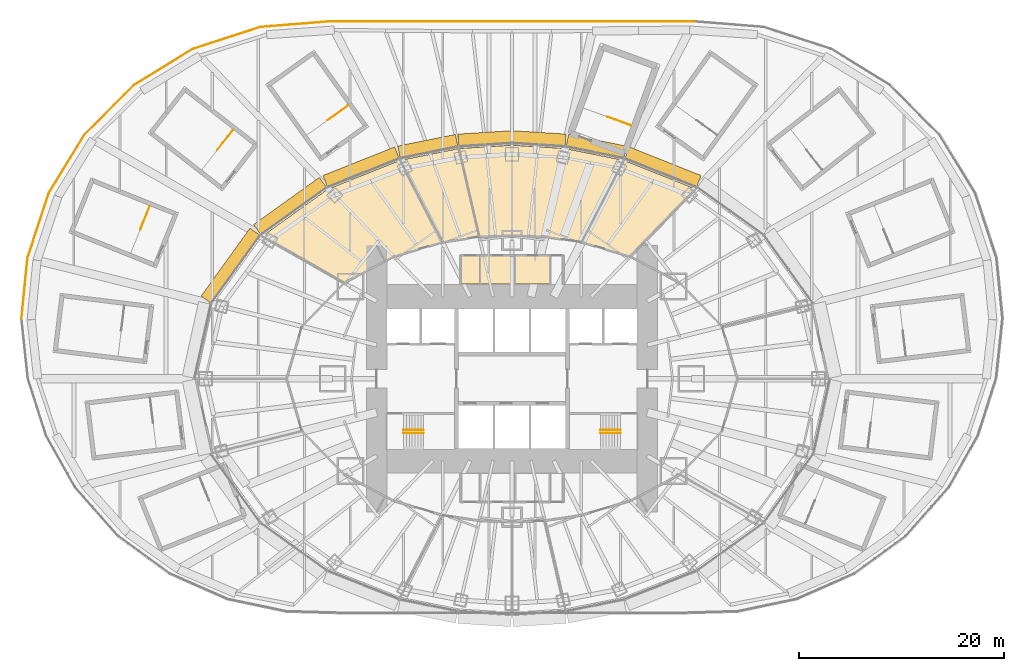
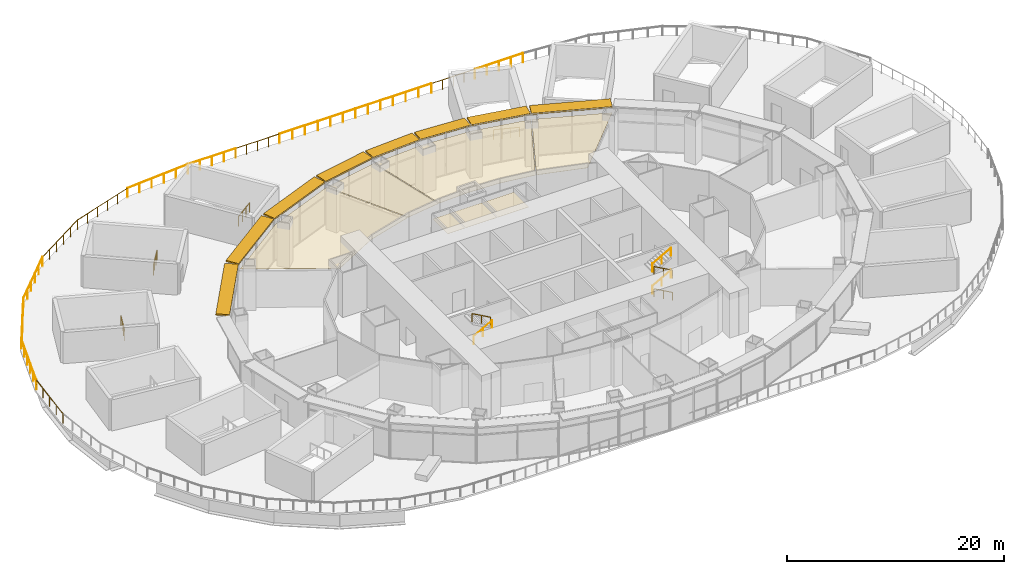
# One storey, part 24 of 25: 25 railings, 8 shading devices, 7 coverings.
"""IFC4 building model written with IfcOpenShell, lengths in metres."""

import ifcopenshell
import ifcopenshell.guid

model = None  # the IFC model being written
_history = None  # IfcOwnerHistory: only IFC2X3 demands one
_inside = {}  # id of a spatial element -> (the spatial element, [elements in it])
_under = {}  # id of a project, library or spatial element -> (it, [spatial elements below it])
_declared = {}  # id of a project -> (the project, [libraries it declares])
_typed = {}  # id of a type object -> (the type object, [elements of that type])
_made_of = {}  # id of a material, layer set ... -> (it, [elements and type objects made of it])


def new_model(schema):
    """Start an empty IFC model of exactly this schema.

    Asked for "IFC4X3", IfcOpenShell would pick the latest addendum, in which some entities
    have other attributes; the version numbers below select the first issue.
    IFC2X3 requires an IfcOwnerHistory on every rooted entity: one is made here for all.
    """
    global model, _history
    if schema == "IFC4X3":
        model = ifcopenshell.file(schema_version=(4, 3, 0, 0))
    else:
        model = ifcopenshell.file(schema=schema)
    _inside.clear()
    _under.clear()
    _declared.clear()
    _typed.clear()
    _made_of.clear()
    _history = None
    if model.schema == "IFC2X3":
        org = make("IfcOrganization", Name="unknown")
        user = make(
            "IfcPersonAndOrganization",
            ThePerson=make("IfcPerson", FamilyName="unknown"),
            TheOrganization=org,
        )
        app = make(
            "IfcApplication",
            ApplicationDeveloper=org,
            Version="unknown",
            ApplicationFullName="unknown",
            ApplicationIdentifier="unknown",
        )
        _history = make(
            "IfcOwnerHistory",
            OwningUser=user,
            OwningApplication=app,
            ChangeAction="ADDED",
            CreationDate=0,
        )
    return model


def make(cls, **values):
    """One entity of the class cls with the attributes given. An attribute that is None is left unset."""
    return model.create_entity(
        cls, **{name: value for name, value in values.items() if value is not None}
    )


def rooted(cls, **values):
    """An entity with a GlobalId (a new one), such as an element, a storey or a relation."""
    return make(cls, GlobalId=ifcopenshell.guid.new(), OwnerHistory=_history, **values)


def si_unit(unit_type, name, prefix=None):
    """IfcSIUnit, for example si_unit("LENGTHUNIT", "METRE", prefix="MILLI")."""
    return make("IfcSIUnit", UnitType=unit_type, Prefix=prefix, Name=name)


def assignment(units):
    """IfcUnitAssignment: the units of a project."""
    return None if units is None else make("IfcUnitAssignment", Units=units)


def point(xyz):
    """IfcCartesianPoint."""
    return None if xyz is None else make("IfcCartesianPoint", Coordinates=xyz)


def direction(xyz):
    """IfcDirection."""
    return None if xyz is None else make("IfcDirection", DirectionRatios=xyz)


def frame(location, z_axis=None, x_axis=None):
    """IfcAxis2Placement3D, a coordinate frame: its origin and axes. An axis left out is left unset."""
    return make(
        "IfcAxis2Placement3D",
        Location=point(location),
        Axis=direction(z_axis),
        RefDirection=direction(x_axis),
    )


def frame_2d(location, x_axis=None):
    """IfcAxis2Placement2D, a coordinate frame in the plane: its origin and x axis."""
    return make(
        "IfcAxis2Placement2D", Location=point(location), RefDirection=direction(x_axis)
    )


def origin():
    """The frame at (0, 0, 0) with its axes left unset."""
    return frame((0.0, 0.0, 0.0))


def origin_2d():
    """The frame at (0, 0) in the plane with its x axis left unset."""
    return frame_2d((0.0, 0.0))


def place(relative_to, where):
    """IfcLocalPlacement: puts the frame where relative to a parent placement (None: the world)."""
    return make(
        "IfcLocalPlacement", PlacementRelTo=relative_to, RelativePlacement=where
    )


def context(
    kind, dimensions, precision=None, world=None, true_north=None, identifier=None
):
    """IfcGeometricRepresentationContext, for example the 3D "Model" context."""
    return make(
        "IfcGeometricRepresentationContext",
        ContextIdentifier=identifier,
        ContextType=kind,
        CoordinateSpaceDimension=dimensions,
        Precision=precision,
        WorldCoordinateSystem=world,
        TrueNorth=true_north,
    )


def subcontext(parent, identifier, kind, view, scale=None):
    """IfcGeometricRepresentationSubContext, for example "Body" below "Model"."""
    return make(
        "IfcGeometricRepresentationSubContext",
        ContextIdentifier=identifier,
        ContextType=kind,
        ParentContext=parent,
        TargetScale=scale,
        TargetView=view,
    )


def project(units=None, contexts=None):
    """IfcProject with its units and contexts."""
    return rooted(
        "IfcProject",
        Name="project",
        RepresentationContexts=contexts,
        UnitsInContext=assignment(units),
    )


def spatial(cls, under=None, at=None, **own):
    """A site, building, storey or space (cls), placed at a placement, below another one or the project."""
    s = rooted(cls, ObjectPlacement=at, **own)
    if under is not None:
        _under.setdefault(under.id(), (under, []))[1].append(s)
    return s


def polyline(points):
    """IfcPolyline through the points."""
    return make("IfcPolyline", Points=[point(p) for p in points])


def profile(cls, at=None, kind="AREA", **sizes):
    """A parametric profile (cls). Its sizes go by their IFC names, for example OverallWidth=200.0."""
    return make(cls, ProfileType=kind, Position=at, **sizes)


def rectangle(**sizes):
    """IfcRectangleProfileDef."""
    return profile("IfcRectangleProfileDef", **sizes)


def circle(**sizes):
    """IfcCircleProfileDef."""
    return profile("IfcCircleProfileDef", **sizes)


def outline(outer, holes=None, kind="AREA"):
    """IfcArbitraryClosedProfileDef: a profile drawn as a closed curve; with holes, ...WithVoids."""
    if holes is None:
        return make("IfcArbitraryClosedProfileDef", ProfileType=kind, OuterCurve=outer)
    return make(
        "IfcArbitraryProfileDefWithVoids",
        ProfileType=kind,
        OuterCurve=outer,
        InnerCurves=holes,
    )


def extrude(swept, where, along, depth):
    """IfcExtrudedAreaSolid: the profile swept, set in the frame where, extruded along a direction by depth."""
    return make(
        "IfcExtrudedAreaSolid",
        SweptArea=swept,
        Position=where,
        ExtrudedDirection=direction(along),
        Depth=depth,
    )


def shape(context_of_items, identifier, shape_type, items):
    """IfcShapeRepresentation: the items that make up one representation, for example the "Body"."""
    return make(
        "IfcShapeRepresentation",
        ContextOfItems=context_of_items,
        RepresentationIdentifier=identifier,
        RepresentationType=shape_type,
        Items=items,
    )


def material(Name=None, Category=None):
    """IfcMaterial."""
    return make("IfcMaterial", Name=Name, Category=Category)


def layer(
    of_material, thickness, ventilated=None, Name=None, Category=None, Priority=None
):
    """IfcMaterialLayer: one layer of a wall or slab, of a material (None: an air gap)."""
    return make(
        "IfcMaterialLayer",
        Material=of_material,
        LayerThickness=thickness,
        IsVentilated=ventilated,
        Name=Name,
        Category=Category,
        Priority=Priority,
    )


def layer_set(layers, Name=None):
    """IfcMaterialLayerSet."""
    return make("IfcMaterialLayerSet", MaterialLayers=layers, LayerSetName=Name)


def made_of(thing, what):
    """Note that an element or type object is made of a material, layer set ...; save() writes the relation."""
    if what is not None:
        _made_of.setdefault(what.id(), (what, []))[1].append(thing)
    return thing


def type_object(cls, material=None, **own):
    """A type object (cls), such as IfcWallType, which elements share."""
    return made_of(rooted(cls, **own), material)


def element(
    cls,
    number,
    at=None,
    inside=None,
    cuts=None,
    type_object=None,
    material=None,
    context=None,
    identifier="Body",
    shape_type=None,
    held_by="IfcProductDefinitionShape",
    body=None,
    shapes=None,
    **own,
):
    """One element of the class cls, such as IfcWall. Its Tag is "e" and its number.

    at: its placement. inside: the storey or other place that contains it. cuts: it is an
    opening in that element (IfcRelVoidsElement). A single representation is given by context,
    identifier, shape_type and body (its items); several are given by shapes. held_by: the class
    of the entity that holds the representations. save() writes the other relations.
    """
    e = rooted(cls, Tag="e%d" % number, ObjectPlacement=at, **own)
    if body is not None:
        shapes = [shape(context, identifier, shape_type, body)]
    if shapes is not None:
        e.Representation = make(held_by, Representations=shapes)
    if inside is not None:
        _inside.setdefault(inside.id(), (inside, []))[1].append(e)
    if cuts is not None:
        rooted(
            "IfcRelVoidsElement", RelatingBuildingElement=cuts, RelatedOpeningElement=e
        )
    if type_object is not None:
        _typed.setdefault(type_object.id(), (type_object, []))[1].append(e)
    return made_of(e, material)


def aggregate(whole, parts):
    """IfcRelAggregates: a whole, such as a stair, and the parts it consists of."""
    return rooted("IfcRelAggregates", RelatingObject=whole, RelatedObjects=parts)


def save(model, path):
    """Write the relations noted so far, then the file.

    IfcRelAggregates (storeys below a building ...), IfcRelContainedInSpatialStructure (elements
    in a storey), IfcRelDefinesByType, IfcRelAssociatesMaterial and IfcRelDeclares: one each for
    every whole, place, type object, material and project.
    """
    for whole, parts in _under.values():
        aggregate(whole, parts)
    for where, things in _inside.values():
        rooted(
            "IfcRelContainedInSpatialStructure",
            RelatedElements=things,
            RelatingStructure=where,
        )
    for kind, things in _typed.values():
        rooted("IfcRelDefinesByType", RelatedObjects=things, RelatingType=kind)
    for what, things in _made_of.values():
        rooted("IfcRelAssociatesMaterial", RelatedObjects=things, RelatingMaterial=what)
    for by, libraries in _declared.values():
        rooted("IfcRelDeclares", RelatingContext=by, RelatedDefinitions=libraries)
    model.write(path)


model = new_model("IFC4")

# Units and contexts
model_context = context("Model", 3, precision=1e-05, world=origin(), true_north=direction((0.0, 1.0)))
body_context = subcontext(model_context, "Body", "Model", "MODEL_VIEW")
ifc_project = project(units=[si_unit("LENGTHUNIT", "METRE"), si_unit("AREAUNIT", "SQUARE_METRE"), si_unit("VOLUMEUNIT", "CUBIC_METRE"), si_unit("PLANEANGLEUNIT", "RADIAN"), si_unit("MASSUNIT", "GRAM", prefix="KILO")], contexts=[model_context])

# Site, building, storey
site_placement = place(None, origin())
site = spatial("IfcSite", under=ifc_project, at=site_placement, CompositionType="ELEMENT")
building_placement = place(site_placement, origin())
building = spatial("IfcBuilding", under=site, at=building_placement, Name="Lantaw Convention Tower", CompositionType="ELEMENT")
storey_placement = place(building_placement, frame((0.0, 0.0, 32.0)))
storey = spatial("IfcBuildingStorey", under=building, at=storey_placement, Name="L05", CompositionType="ELEMENT", Elevation=32.0)

# Railings
ifc_material_1 = material(Name="Stainless steel and laminated glass", Category="steel")
railing_type_1 = type_object("IfcRailingType", Name="Guard railing 1100", PredefinedType="GUARDRAIL", material=ifc_material_1)
railing_1_placement = place(storey_placement, frame((11.60400390625, 24.71826171875, 0.0)))
element("IfcRailing", 1, at=railing_1_placement, inside=storey, type_object=railing_type_1, Name="Stair well guard P5", PredefinedType="GUARDRAIL", context=body_context, shape_type="SweptSolid", body=[
    extrude(circle(Radius=0.02392578125, at=origin_2d()), frame((0.0, 0.0, 1.076171875), z_axis=(-0.939700284884, 0.341999085655, 0.0), x_axis=(-0.341999085655, -0.939700284884, 0.0)), (0.0, 0.0, 1.0), 2.449951171875),
    extrude(circle(Radius=0.02099609375, at=origin_2d()), origin(), (0.0, 0.0, 1.0), 1.052001953125),
    extrude(circle(Radius=0.02099609375, at=origin_2d()), frame((-0.767333984375, 0.279296875, 0.0)), (0.0, 0.0, 1.0), 1.052001953125),
    extrude(circle(Radius=0.02099609375, at=origin_2d()), frame((-1.534912109375, 0.55859375, 0.0)), (0.0, 0.0, 1.0), 1.052001953125),
    extrude(circle(Radius=0.02099609375, at=origin_2d()), frame((-2.30224609375, 0.837890625, 0.0)), (0.0, 0.0, 1.0), 1.052001953125),
])
railing_2_placement = place(storey_placement, frame((-15.993408203125, 26.640869140625, 0.0)))
element("IfcRailing", 2, at=railing_2_placement, inside=storey, type_object=railing_type_1, Name="Stair well guard P6", PredefinedType="GUARDRAIL", context=body_context, shape_type="SweptSolid", body=[
    extrude(circle(Radius=0.02392578125, at=origin_2d()), frame((0.0, 0.0, 1.076171875), z_axis=(-0.814063271495, -0.58077619614, 0.0), x_axis=(0.58077619614, -0.814063271495, 0.0)), (0.0, 0.0, 1.0), 2.449951171875),
    extrude(circle(Radius=0.02099609375, at=origin_2d()), origin(), (0.0, 0.0, 1.0), 1.052001953125),
    extrude(circle(Radius=0.02099609375, at=origin_2d()), frame((-0.664794921875, -0.474365234375, 0.0)), (0.0, 0.0, 1.0), 1.052001953125),
    extrude(circle(Radius=0.02099609375, at=origin_2d()), frame((-1.32958984375, -0.948486328125, 0.0)), (0.0, 0.0, 1.0), 1.052001953125),
    extrude(circle(Radius=0.02099609375, at=origin_2d()), frame((-1.994384765625, -1.4228515625, 0.0)), (0.0, 0.0, 1.0), 1.052001953125),
])
railing_3_placement = place(storey_placement, frame((-27.222900390625, 24.275146484375, 0.0)))
element("IfcRailing", 3, at=railing_3_placement, inside=storey, type_object=railing_type_1, Name="Stair well guard P7", PredefinedType="GUARDRAIL", context=body_context, shape_type="SweptSolid", body=[
    extrude(circle(Radius=0.02392578125, at=origin_2d()), frame((0.0, 0.0, 1.076171875), z_axis=(-0.613954411355, -0.789341485529, 0.0), x_axis=(0.789341485529, -0.613954411355, 0.0)), (0.0, 0.0, 1.0), 2.449951171875),
    extrude(circle(Radius=0.02099609375, at=origin_2d()), origin(), (0.0, 0.0, 1.0), 1.052001953125),
    extrude(circle(Radius=0.02099609375, at=origin_2d()), frame((-0.50146484375, -0.64453125, 0.0)), (0.0, 0.0, 1.0), 1.052001953125),
    extrude(circle(Radius=0.02099609375, at=origin_2d()), frame((-1.002685546875, -1.289306640625, 0.0)), (0.0, 0.0, 1.0), 1.052001953125),
    extrude(circle(Radius=0.02099609375, at=origin_2d()), frame((-1.504150390625, -1.933837890625, 0.0)), (0.0, 0.0, 1.0), 1.052001953125),
])
railing_4_placement = place(storey_placement, frame((-35.3525390625, 16.83203125, 0.0)))
element("IfcRailing", 4, at=railing_4_placement, inside=storey, type_object=railing_type_1, Name="Stair well guard P8", PredefinedType="GUARDRAIL", context=body_context, shape_type="SweptSolid", body=[
    extrude(circle(Radius=0.02392578125, at=origin_2d()), frame((0.0, 0.0, 1.076171875), z_axis=(-0.37248999709, -0.928036207304, 0.0), x_axis=(0.928036207304, -0.37248999709, 0.0)), (0.0, 0.0, 1.0), 2.449951171875),
    extrude(circle(Radius=0.02099609375, at=origin_2d()), origin(), (0.0, 0.0, 1.0), 1.052001953125),
    extrude(circle(Radius=0.02099609375, at=origin_2d()), frame((-0.30419921875, -0.7578125, 0.0)), (0.0, 0.0, 1.0), 1.052001953125),
    extrude(circle(Radius=0.02099609375, at=origin_2d()), frame((-0.6083984375, -1.515869140625, 0.0)), (0.0, 0.0, 1.0), 1.052001953125),
    extrude(circle(Radius=0.02099609375, at=origin_2d()), frame((-0.91259765625, -2.273681640625, 0.0)), (0.0, 0.0, 1.0), 1.052001953125),
])
ifc_material_2 = material(Name="Stainless steel", Category="steel")
railing_type_2 = type_object("IfcRailingType", Name="Stair handrail", PredefinedType="HANDRAIL", material=ifc_material_2)
railing_5_placement = place(storey_placement, frame((-10.580078125, -5.280029296875, 2.65625)))
element("IfcRailing", 5, at=railing_5_placement, inside=storey, type_object=railing_type_2, Name="Stair handrail S1", PredefinedType="HANDRAIL", context=body_context, shape_type="SweptSolid", body=[
    extrude(circle(Radius=0.02392578125, at=origin_2d()), frame((0.0, 0.0, 0.8759765625), z_axis=(0.873232148454, 0.0, 0.487304437602), x_axis=(0.0, 1.0, 0.0)), (0.0, 0.0, 1.0), 2.244384765625),
    extrude(circle(Radius=0.02099609375, at=origin_2d()), origin(), (0.0, 0.0, 1.0), 0.851806640625),
    extrude(circle(Radius=0.02099609375, at=origin_2d()), frame((0.97998046875, 0.0, 0.546875)), (0.0, 0.0, 1.0), 0.851806640625),
    extrude(circle(Radius=0.02099609375, at=origin_2d()), frame((1.9599609375, 0.0, 1.09375)), (0.0, 0.0, 1.0), 0.851806640625),
])
for number, where, name in (
    (6, (-8.6201171875, -4.97998046875, 3.90625), "Stair handrail S1"),
    (7, (10.580078125, -5.280029296875, 0.15625), "Stair handrail S2"),
):
    element("IfcRailing", number, at=place(storey_placement, frame(where)), inside=storey, type_object=railing_type_2, Name=name, PredefinedType="HANDRAIL", context=body_context, shape_type="SweptSolid", body=[
        extrude(circle(Radius=0.02392578125, at=origin_2d()), frame((0.0, 0.0, 0.8759765625), z_axis=(-0.873232148454, 0.0, 0.487304437602), x_axis=(0.0, -1.0, 0.0)), (0.0, 0.0, 1.0), 2.244384765625),
        extrude(circle(Radius=0.02099609375, at=origin_2d()), origin(), (0.0, 0.0, 1.0), 0.851806640625),
        extrude(circle(Radius=0.02099609375, at=origin_2d()), frame((-0.97998046875, 0.0, 0.546875)), (0.0, 0.0, 1.0), 0.851806640625),
        extrude(circle(Radius=0.02099609375, at=origin_2d()), frame((-1.9599609375, 0.0, 1.09375)), (0.0, 0.0, 1.0), 0.851806640625),
    ])
railing_6_placement = place(storey_placement, frame((8.6201171875, -4.97998046875, 1.40625)))
element("IfcRailing", 8, at=railing_6_placement, inside=storey, type_object=railing_type_2, Name="Stair handrail S2", PredefinedType="HANDRAIL", context=body_context, shape_type="SweptSolid", body=[
    extrude(circle(Radius=0.02392578125, at=origin_2d()), frame((0.0, 0.0, 0.8759765625), z_axis=(0.873232148454, 0.0, 0.487304437602), x_axis=(0.0, 1.0, 0.0)), (0.0, 0.0, 1.0), 2.244384765625),
    extrude(circle(Radius=0.02099609375, at=origin_2d()), origin(), (0.0, 0.0, 1.0), 0.851806640625),
    extrude(circle(Radius=0.02099609375, at=origin_2d()), frame((0.97998046875, 0.0, 0.546875)), (0.0, 0.0, 1.0), 0.851806640625),
    extrude(circle(Radius=0.02099609375, at=origin_2d()), frame((1.9599609375, 0.0, 1.09375)), (0.0, 0.0, 1.0), 0.851806640625),
])
railing_7_placement = place(storey_placement, frame((10.580078125, -5.280029296875, 2.65625)))
element("IfcRailing", 9, at=railing_7_placement, inside=storey, type_object=railing_type_2, Name="Stair handrail S2", PredefinedType="HANDRAIL", context=body_context, shape_type="SweptSolid", body=[
    extrude(circle(Radius=0.02392578125, at=origin_2d()), frame((0.0, 0.0, 0.8759765625), z_axis=(-0.873232148454, 0.0, 0.487304437602), x_axis=(0.0, -1.0, 0.0)), (0.0, 0.0, 1.0), 2.244384765625),
    extrude(circle(Radius=0.02099609375, at=origin_2d()), origin(), (0.0, 0.0, 1.0), 0.851806640625),
    extrude(circle(Radius=0.02099609375, at=origin_2d()), frame((-0.97998046875, 0.0, 0.546875)), (0.0, 0.0, 1.0), 0.851806640625),
    extrude(circle(Radius=0.02099609375, at=origin_2d()), frame((-1.9599609375, 0.0, 1.09375)), (0.0, 0.0, 1.0), 0.851806640625),
])
railing_8_placement = place(storey_placement, frame((8.6201171875, -4.97998046875, 3.90625)))
element("IfcRailing", 10, at=railing_8_placement, inside=storey, type_object=railing_type_2, Name="Stair handrail S2", PredefinedType="HANDRAIL", context=body_context, shape_type="SweptSolid", body=[
    extrude(circle(Radius=0.02392578125, at=origin_2d()), frame((0.0, 0.0, 0.8759765625), z_axis=(0.873232148454, 0.0, 0.487304437602), x_axis=(0.0, 1.0, 0.0)), (0.0, 0.0, 1.0), 2.244384765625),
    extrude(circle(Radius=0.02099609375, at=origin_2d()), origin(), (0.0, 0.0, 1.0), 0.851806640625),
    extrude(circle(Radius=0.02099609375, at=origin_2d()), frame((0.97998046875, 0.0, 0.546875)), (0.0, 0.0, 1.0), 0.851806640625),
    extrude(circle(Radius=0.02099609375, at=origin_2d()), frame((1.9599609375, 0.0, 1.09375)), (0.0, 0.0, 1.0), 0.851806640625),
])

# Coverings
ifc_material_3 = material(Name="Gypsum board on steel suspension grid", Category="steel")
ifc_layer = layer(ifc_material_3, 0.02001953125)
ifc_layer_set = layer_set([ifc_layer], Name="Suspended ceiling")
covering_type = type_object("IfcCoveringType", Name="Suspended ceiling", PredefinedType="CEILING", material=ifc_layer_set)
covering_1_placement = place(storey_placement, frame((0.0, 0.0, 4.25)))
element("IfcCovering", 11, at=covering_1_placement, inside=storey, type_object=covering_type, Name="Accessible WC ceiling", PredefinedType="CEILING", context=body_context, shape_type="SweptSolid", body=[
    extrude(outline(polyline([(-4.9599609375, 9.239990234375), (-3.139892578125, 9.239990234375), (-3.139892578125, 11.993896484375), (-4.9599609375, 11.993896484375), (-4.9599609375, 9.239990234375)])), origin(), (0.0, 0.0, 1.0), 0.02001953125),
])
covering_2_placement = place(storey_placement, frame((0.0, 0.0, 4.25)))
element("IfcCovering", 12, at=covering_2_placement, inside=storey, type_object=covering_type, Name="Male WC ceiling", PredefinedType="CEILING", context=body_context, shape_type="SweptSolid", body=[
    extrude(outline(polyline([(-3.06005859375, 9.239990234375), (0.260009765625, 9.239990234375), (0.260009765625, 11.993896484375), (-3.06005859375, 11.993896484375), (-3.06005859375, 9.239990234375)])), origin(), (0.0, 0.0, 1.0), 0.02001953125),
])
covering_3_placement = place(storey_placement, frame((0.0, 0.0, 4.25)))
element("IfcCovering", 13, at=covering_3_placement, inside=storey, type_object=covering_type, Name="Female WC ceiling", PredefinedType="CEILING", context=body_context, shape_type="SweptSolid", body=[
    extrude(outline(polyline([(0.340087890625, 9.239990234375), (3.659912109375, 9.239990234375), (3.659912109375, 11.993896484375), (0.340087890625, 11.993896484375), (0.340087890625, 9.239990234375)])), origin(), (0.0, 0.0, 1.0), 0.02001953125),
])
covering_4_placement = place(storey_placement, frame((0.0, 0.0, 4.25)))
element("IfcCovering", 14, at=covering_4_placement, inside=storey, type_object=covering_type, Name="Guest relations office ceiling", PredefinedType="CEILING", context=body_context, shape_type="SweptSolid", body=[
    extrude(outline(polyline([(11.506591796875, 11.972900390625), (17.89990234375, 18.526611328125), (10.930908203125, 21.294921875), (6.84326171875, 13.34228515625), (11.506591796875, 11.972900390625)])), origin(), (0.0, 0.0, 1.0), 0.02001953125),
])
covering_5_placement = place(storey_placement, frame((0.0, 0.0, 4.25)))
element("IfcCovering", 15, at=covering_5_placement, inside=storey, type_object=covering_type, Name="Business centre ceiling", PredefinedType="CEILING", context=body_context, shape_type="SweptSolid", body=[
    extrude(outline(polyline([(6.76318359375, 13.361328125), (10.852294921875, 21.31689453125), (5.20556640625, 22.456298828125), (0.0, 22.78466796875), (-5.1611328125, 22.458984375), (-3.16650390625, 13.892822265625), (0.0, 14.0400390625), (3.20166015625, 13.89111328125), (6.76318359375, 13.361328125)])), origin(), (0.0, 0.0, 1.0), 0.02001953125),
])
covering_6_placement = place(storey_placement, frame((0.0, 0.0, 4.25)))
element("IfcCovering", 16, at=covering_6_placement, inside=storey, type_object=covering_type, Name="Prayer room ceiling", PredefinedType="CEILING", context=body_context, shape_type="SweptSolid", body=[
    extrude(outline(polyline([(-3.24658203125, 13.884521484375), (-5.240966796875, 22.448974609375), (-10.852294921875, 21.31689453125), (-6.76318359375, 13.361328125), (-3.24658203125, 13.884521484375)])), origin(), (0.0, 0.0, 1.0), 0.02001953125),
])
covering_7_placement = place(storey_placement, frame((0.0, 0.0, 4.25)))
element("IfcCovering", 17, at=covering_7_placement, inside=storey, type_object=covering_type, Name="Fitness centre ceiling", PredefinedType="CEILING", context=body_context, shape_type="SweptSolid", body=[
    extrude(outline(polyline([(-6.84326171875, 13.34228515625), (-10.930908203125, 21.294921875), (-17.951171875, 18.50634765625), (-24.3603515625, 13.912841796875), (-16.368408203125, 9.3994140625), (-11.53369140625, 11.965087890625), (-6.84326171875, 13.34228515625)])), origin(), (0.0, 0.0, 1.0), 0.02001953125),
])

# Railings
ifc_material_4 = material(Name="Stainless steel posts and laminated glass, pale silver finish", Category="steel")
railing_type_3 = type_object("IfcRailingType", Name="Terrace guard railing 1100", PredefinedType="GUARDRAIL", material=ifc_material_4)
railing_9_placement = place(storey_placement, frame((17.827392578125, 34.85009765625, 0.0)))
element("IfcRailing", 18, at=railing_9_placement, inside=storey, type_object=railing_type_3, Name="Terrace guard", PredefinedType="GUARDRAIL", context=body_context, shape_type="SweptSolid", body=[
    extrude(circle(Radius=0.02392578125, at=origin_2d()), frame((0.0, 0.0, 1.076171875), z_axis=(-1.0, 0.0, 0.0), x_axis=(0.0, -1.0, 0.0)), (0.0, 0.0, 1.0), 5.08837890625),
    extrude(circle(Radius=0.02099609375, at=origin_2d()), origin(), (0.0, 0.0, 1.0), 1.052001953125),
    extrude(circle(Radius=0.02099609375, at=origin_2d()), frame((-1.27197265625, 0.0, 0.0)), (0.0, 0.0, 1.0), 1.052001953125),
    extrude(circle(Radius=0.02099609375, at=origin_2d()), frame((-2.544189453125, 0.0, 0.0)), (0.0, 0.0, 1.0), 1.052001953125),
    extrude(circle(Radius=0.02099609375, at=origin_2d()), frame((-3.81640625, 0.0, 0.0)), (0.0, 0.0, 1.0), 1.052001953125),
    extrude(circle(Radius=0.02099609375, at=origin_2d()), frame((-5.08837890625, 0.0, 0.0)), (0.0, 0.0, 1.0), 1.052001953125),
])
railing_10_placement = place(storey_placement, frame((12.739013671875, 34.85009765625, 0.0)))
element("IfcRailing", 19, at=railing_10_placement, inside=storey, type_object=railing_type_3, Name="Terrace guard", PredefinedType="GUARDRAIL", context=body_context, shape_type="SweptSolid", body=[
    extrude(circle(Radius=0.02392578125, at=origin_2d()), frame((0.0, 0.0, 1.076171875), z_axis=(-1.0, 0.0, 0.0), x_axis=(0.0, -1.0, 0.0)), (0.0, 0.0, 1.0), 4.65869140625),
    extrude(circle(Radius=0.02099609375, at=origin_2d()), origin(), (0.0, 0.0, 1.0), 1.052001953125),
    extrude(circle(Radius=0.02099609375, at=origin_2d()), frame((-1.16455078125, 0.0, 0.0)), (0.0, 0.0, 1.0), 1.052001953125),
    extrude(circle(Radius=0.02099609375, at=origin_2d()), frame((-2.329345703125, 0.0, 0.0)), (0.0, 0.0, 1.0), 1.052001953125),
    extrude(circle(Radius=0.02099609375, at=origin_2d()), frame((-3.494140625, 0.0, 0.0)), (0.0, 0.0, 1.0), 1.052001953125),
    extrude(circle(Radius=0.02099609375, at=origin_2d()), frame((-4.65869140625, 0.0, 0.0)), (0.0, 0.0, 1.0), 1.052001953125),
])
railing_11_placement = place(storey_placement, frame((8.080322265625, 34.85009765625, 0.0)))
element("IfcRailing", 20, at=railing_11_placement, inside=storey, type_object=railing_type_3, Name="Terrace guard", PredefinedType="GUARDRAIL", context=body_context, shape_type="SweptSolid", body=[
    extrude(circle(Radius=0.02392578125, at=origin_2d()), frame((0.0, 0.0, 1.076171875), z_axis=(-1.0, 0.0, 0.0), x_axis=(0.0, -1.0, 0.0)), (0.0, 0.0, 1.0), 4.092529296875),
    extrude(circle(Radius=0.02099609375, at=origin_2d()), origin(), (0.0, 0.0, 1.0), 1.052001953125),
    extrude(circle(Radius=0.02099609375, at=origin_2d()), frame((-1.3642578125, 0.0, 0.0)), (0.0, 0.0, 1.0), 1.052001953125),
    extrude(circle(Radius=0.02099609375, at=origin_2d()), frame((-2.728271484375, 0.0, 0.0)), (0.0, 0.0, 1.0), 1.052001953125),
    extrude(circle(Radius=0.02099609375, at=origin_2d()), frame((-4.092529296875, 0.0, 0.0)), (0.0, 0.0, 1.0), 1.052001953125),
])
for number, where, name in (
    (21, (3.98779296875, 34.85009765625, 0.0), "Terrace guard"),
    (22, (0.0, 34.85009765625, 0.0), "Terrace guard"),
):
    element("IfcRailing", number, at=place(storey_placement, frame(where)), inside=storey, type_object=railing_type_3, Name=name, PredefinedType="GUARDRAIL", context=body_context, shape_type="SweptSolid", body=[
        extrude(circle(Radius=0.02392578125, at=origin_2d()), frame((0.0, 0.0, 1.076171875), z_axis=(-1.0, 0.0, 0.0), x_axis=(0.0, -1.0, 0.0)), (0.0, 0.0, 1.0), 3.98779296875),
        extrude(circle(Radius=0.02099609375, at=origin_2d()), origin(), (0.0, 0.0, 1.0), 1.052001953125),
        extrude(circle(Radius=0.02099609375, at=origin_2d()), frame((-1.329345703125, 0.0, 0.0)), (0.0, 0.0, 1.0), 1.052001953125),
        extrude(circle(Radius=0.02099609375, at=origin_2d()), frame((-2.658447265625, 0.0, 0.0)), (0.0, 0.0, 1.0), 1.052001953125),
        extrude(circle(Radius=0.02099609375, at=origin_2d()), frame((-3.98779296875, 0.0, 0.0)), (0.0, 0.0, 1.0), 1.052001953125),
    ])
railing_12_placement = place(storey_placement, frame((-3.98779296875, 34.85009765625, 0.0)))
element("IfcRailing", 23, at=railing_12_placement, inside=storey, type_object=railing_type_3, Name="Terrace guard", PredefinedType="GUARDRAIL", context=body_context, shape_type="SweptSolid", body=[
    extrude(circle(Radius=0.02392578125, at=origin_2d()), frame((0.0, 0.0, 1.076171875), z_axis=(-1.0, 0.0, 0.0), x_axis=(0.0, -1.0, 0.0)), (0.0, 0.0, 1.0), 4.092529296875),
    extrude(circle(Radius=0.02099609375, at=origin_2d()), origin(), (0.0, 0.0, 1.0), 1.052001953125),
    extrude(circle(Radius=0.02099609375, at=origin_2d()), frame((-1.3642578125, 0.0, 0.0)), (0.0, 0.0, 1.0), 1.052001953125),
    extrude(circle(Radius=0.02099609375, at=origin_2d()), frame((-2.728271484375, 0.0, 0.0)), (0.0, 0.0, 1.0), 1.052001953125),
    extrude(circle(Radius=0.02099609375, at=origin_2d()), frame((-4.092529296875, 0.0, 0.0)), (0.0, 0.0, 1.0), 1.052001953125),
])
railing_13_placement = place(storey_placement, frame((-8.080322265625, 34.85009765625, 0.0)))
element("IfcRailing", 24, at=railing_13_placement, inside=storey, type_object=railing_type_3, Name="Terrace guard", PredefinedType="GUARDRAIL", context=body_context, shape_type="SweptSolid", body=[
    extrude(circle(Radius=0.02392578125, at=origin_2d()), frame((0.0, 0.0, 1.076171875), z_axis=(-1.0, 0.0, 0.0), x_axis=(0.0, -1.0, 0.0)), (0.0, 0.0, 1.0), 4.65869140625),
    extrude(circle(Radius=0.02099609375, at=origin_2d()), origin(), (0.0, 0.0, 1.0), 1.052001953125),
    extrude(circle(Radius=0.02099609375, at=origin_2d()), frame((-1.16455078125, 0.0, 0.0)), (0.0, 0.0, 1.0), 1.052001953125),
    extrude(circle(Radius=0.02099609375, at=origin_2d()), frame((-2.329345703125, 0.0, 0.0)), (0.0, 0.0, 1.0), 1.052001953125),
    extrude(circle(Radius=0.02099609375, at=origin_2d()), frame((-3.494140625, 0.0, 0.0)), (0.0, 0.0, 1.0), 1.052001953125),
    extrude(circle(Radius=0.02099609375, at=origin_2d()), frame((-4.65869140625, 0.0, 0.0)), (0.0, 0.0, 1.0), 1.052001953125),
])
railing_14_placement = place(storey_placement, frame((-12.739013671875, 34.85009765625, 0.0)))
element("IfcRailing", 25, at=railing_14_placement, inside=storey, type_object=railing_type_3, Name="Terrace guard", PredefinedType="GUARDRAIL", context=body_context, shape_type="SweptSolid", body=[
    extrude(circle(Radius=0.02392578125, at=origin_2d()), frame((0.0, 0.0, 1.076171875), z_axis=(-1.0, 0.0, 0.0), x_axis=(0.0, -1.0, 0.0)), (0.0, 0.0, 1.0), 5.08837890625),
    extrude(circle(Radius=0.02099609375, at=origin_2d()), origin(), (0.0, 0.0, 1.0), 1.052001953125),
    extrude(circle(Radius=0.02099609375, at=origin_2d()), frame((-1.27197265625, 0.0, 0.0)), (0.0, 0.0, 1.0), 1.052001953125),
    extrude(circle(Radius=0.02099609375, at=origin_2d()), frame((-2.544189453125, 0.0, 0.0)), (0.0, 0.0, 1.0), 1.052001953125),
    extrude(circle(Radius=0.02099609375, at=origin_2d()), frame((-3.81640625, 0.0, 0.0)), (0.0, 0.0, 1.0), 1.052001953125),
    extrude(circle(Radius=0.02099609375, at=origin_2d()), frame((-5.08837890625, 0.0, 0.0)), (0.0, 0.0, 1.0), 1.052001953125),
])
railing_15_placement = place(storey_placement, frame((-17.827392578125, 34.85009765625, 0.0)))
element("IfcRailing", 26, at=railing_15_placement, inside=storey, type_object=railing_type_3, Name="Terrace guard", PredefinedType="GUARDRAIL", context=body_context, shape_type="SweptSolid", body=[
    extrude(circle(Radius=0.02392578125, at=origin_2d()), frame((0.0, 0.0, 1.076171875), z_axis=(-0.996791174242, -0.080045955263, 0.0), x_axis=(0.080045955263, -0.996791174242, 0.0)), (0.0, 0.0, 1.0), 6.74365234375),
    extrude(circle(Radius=0.02099609375, at=origin_2d()), origin(), (0.0, 0.0, 1.0), 1.052001953125),
    extrude(circle(Radius=0.02099609375, at=origin_2d()), frame((-1.344482421875, -0.10791015625, 0.0)), (0.0, 0.0, 1.0), 1.052001953125),
    extrude(circle(Radius=0.02099609375, at=origin_2d()), frame((-2.688720703125, -0.2158203125, 0.0)), (0.0, 0.0, 1.0), 1.052001953125),
    extrude(circle(Radius=0.02099609375, at=origin_2d()), frame((-4.033203125, -0.323974609375, 0.0)), (0.0, 0.0, 1.0), 1.052001953125),
    extrude(circle(Radius=0.02099609375, at=origin_2d()), frame((-5.37744140625, -0.431884765625, 0.0)), (0.0, 0.0, 1.0), 1.052001953125),
    extrude(circle(Radius=0.02099609375, at=origin_2d()), frame((-6.721923828125, -0.539794921875, 0.0)), (0.0, 0.0, 1.0), 1.052001953125),
])
railing_16_placement = place(storey_placement, frame((-24.54931640625, 34.310302734375, 0.0)))
element("IfcRailing", 27, at=railing_16_placement, inside=storey, type_object=railing_type_3, Name="Terrace guard", PredefinedType="GUARDRAIL", context=body_context, shape_type="SweptSolid", body=[
    extrude(circle(Radius=0.02392578125, at=origin_2d()), frame((0.0, 0.0, 1.076171875), z_axis=(-0.951132196766, -0.308783976714, 0.0), x_axis=(0.308783976714, -0.951132196766, 0.0)), (0.0, 0.0, 1.0), 6.926025390625),
    extrude(circle(Radius=0.02099609375, at=origin_2d()), origin(), (0.0, 0.0, 1.0), 1.052001953125),
    extrude(circle(Radius=0.02099609375, at=origin_2d()), frame((-1.317626953125, -0.427734375, 0.0)), (0.0, 0.0, 1.0), 1.052001953125),
    extrude(circle(Radius=0.02099609375, at=origin_2d()), frame((-2.635009765625, -0.85546875, 0.0)), (0.0, 0.0, 1.0), 1.052001953125),
    extrude(circle(Radius=0.02099609375, at=origin_2d()), frame((-3.95263671875, -1.283203125, 0.0)), (0.0, 0.0, 1.0), 1.052001953125),
    extrude(circle(Radius=0.02099609375, at=origin_2d()), frame((-5.27001953125, -1.7109375, 0.0)), (0.0, 0.0, 1.0), 1.052001953125),
    extrude(circle(Radius=0.02099609375, at=origin_2d()), frame((-6.587646484375, -2.138671875, 0.0)), (0.0, 0.0, 1.0), 1.052001953125),
])
railing_17_placement = place(storey_placement, frame((-31.136962890625, 32.171630859375, 0.0)))
element("IfcRailing", 28, at=railing_17_placement, inside=storey, type_object=railing_type_3, Name="Terrace guard", PredefinedType="GUARDRAIL", context=body_context, shape_type="SweptSolid", body=[
    extrude(circle(Radius=0.02392578125, at=origin_2d()), frame((0.0, 0.0, 1.076171875), z_axis=(-0.85180120499, -0.523865161255, 0.0), x_axis=(0.523865161255, -0.85180120499, 0.0)), (0.0, 0.0, 1.0), 6.744873046875),
    extrude(circle(Radius=0.02099609375, at=origin_2d()), origin(), (0.0, 0.0, 1.0), 1.052001953125),
    extrude(circle(Radius=0.02099609375, at=origin_2d()), frame((-1.149169921875, -0.706787109375, 0.0)), (0.0, 0.0, 1.0), 1.052001953125),
    extrude(circle(Radius=0.02099609375, at=origin_2d()), frame((-2.298095703125, -1.413330078125, 0.0)), (0.0, 0.0, 1.0), 1.052001953125),
    extrude(circle(Radius=0.02099609375, at=origin_2d()), frame((-3.447265625, -2.1201171875, 0.0)), (0.0, 0.0, 1.0), 1.052001953125),
    extrude(circle(Radius=0.02099609375, at=origin_2d()), frame((-4.59619140625, -2.82666015625, 0.0)), (0.0, 0.0, 1.0), 1.052001953125),
    extrude(circle(Radius=0.02099609375, at=origin_2d()), frame((-5.745361328125, -3.533447265625, 0.0)), (0.0, 0.0, 1.0), 1.052001953125),
])
railing_18_placement = place(storey_placement, frame((-36.88232421875, 28.63818359375, 0.0)))
element("IfcRailing", 29, at=railing_18_placement, inside=storey, type_object=railing_type_3, Name="Terrace guard", PredefinedType="GUARDRAIL", context=body_context, shape_type="SweptSolid", body=[
    extrude(circle(Radius=0.02392578125, at=origin_2d()), frame((0.0, 0.0, 1.076171875), z_axis=(-0.705871725524, -0.708339683419, 0.0), x_axis=(0.708339683419, -0.705871725524, 0.0)), (0.0, 0.0, 1.0), 6.82568359375),
    extrude(circle(Radius=0.02099609375, at=origin_2d()), origin(), (0.0, 0.0, 1.0), 1.052001953125),
    extrude(circle(Radius=0.02099609375, at=origin_2d()), frame((-0.963623046875, -0.967041015625, 0.0)), (0.0, 0.0, 1.0), 1.052001953125),
    extrude(circle(Radius=0.02099609375, at=origin_2d()), frame((-1.92724609375, -1.93408203125, 0.0)), (0.0, 0.0, 1.0), 1.052001953125),
    extrude(circle(Radius=0.02099609375, at=origin_2d()), frame((-2.890869140625, -2.90087890625, 0.0)), (0.0, 0.0, 1.0), 1.052001953125),
    extrude(circle(Radius=0.02099609375, at=origin_2d()), frame((-3.8544921875, -3.867919921875, 0.0)), (0.0, 0.0, 1.0), 1.052001953125),
    extrude(circle(Radius=0.02099609375, at=origin_2d()), frame((-4.818115234375, -4.8349609375, 0.0)), (0.0, 0.0, 1.0), 1.052001953125),
])
railing_19_placement = place(storey_placement, frame((-41.700439453125, 23.80322265625, 0.0)))
element("IfcRailing", 30, at=railing_19_placement, inside=storey, type_object=railing_type_3, Name="Terrace guard", PredefinedType="GUARDRAIL", context=body_context, shape_type="SweptSolid", body=[
    extrude(circle(Radius=0.02392578125, at=origin_2d()), frame((0.0, 0.0, 1.076171875), z_axis=(-0.522231720502, -0.852803629273, 0.0), x_axis=(0.852803629273, -0.522231720502, 0.0)), (0.0, 0.0, 1.0), 6.65576171875),
    extrude(circle(Radius=0.02099609375, at=origin_2d()), origin(), (0.0, 0.0, 1.0), 1.052001953125),
    extrude(circle(Radius=0.02099609375, at=origin_2d()), frame((-0.695068359375, -1.13525390625, 0.0)), (0.0, 0.0, 1.0), 1.052001953125),
    extrude(circle(Radius=0.02099609375, at=origin_2d()), frame((-1.390380859375, -2.2705078125, 0.0)), (0.0, 0.0, 1.0), 1.052001953125),
    extrude(circle(Radius=0.02099609375, at=origin_2d()), frame((-2.08544921875, -3.405517578125, 0.0)), (0.0, 0.0, 1.0), 1.052001953125),
    extrude(circle(Radius=0.02099609375, at=origin_2d()), frame((-2.78076171875, -4.540771484375, 0.0)), (0.0, 0.0, 1.0), 1.052001953125),
    extrude(circle(Radius=0.02099609375, at=origin_2d()), frame((-3.475830078125, -5.676025390625, 0.0)), (0.0, 0.0, 1.0), 1.052001953125),
])
railing_20_placement = place(storey_placement, frame((-45.17626953125, 18.127197265625, 0.0)))
element("IfcRailing", 31, at=railing_20_placement, inside=storey, type_object=railing_type_3, Name="Terrace guard", PredefinedType="GUARDRAIL", context=body_context, shape_type="SweptSolid", body=[
    extrude(circle(Radius=0.02392578125, at=origin_2d()), frame((0.0, 0.0, 1.076171875), z_axis=(-0.312625031764, -0.949876618048, 0.0), x_axis=(0.949876618048, -0.312625031764, 0.0)), (0.0, 0.0, 1.0), 6.67236328125),
    extrude(circle(Radius=0.02099609375, at=origin_2d()), origin(), (0.0, 0.0, 1.0), 1.052001953125),
    extrude(circle(Radius=0.02099609375, at=origin_2d()), frame((-0.417236328125, -1.267578125, 0.0)), (0.0, 0.0, 1.0), 1.052001953125),
    extrude(circle(Radius=0.02099609375, at=origin_2d()), frame((-0.83447265625, -2.53515625, 0.0)), (0.0, 0.0, 1.0), 1.052001953125),
    extrude(circle(Radius=0.02099609375, at=origin_2d()), frame((-1.25146484375, -3.802734375, 0.0)), (0.0, 0.0, 1.0), 1.052001953125),
    extrude(circle(Radius=0.02099609375, at=origin_2d()), frame((-1.668701171875, -5.0703125, 0.0)), (0.0, 0.0, 1.0), 1.052001953125),
    extrude(circle(Radius=0.02099609375, at=origin_2d()), frame((-2.0859375, -6.337890625, 0.0)), (0.0, 0.0, 1.0), 1.052001953125),
])
railing_21_placement = place(storey_placement, frame((-47.26220703125, 11.789306640625, 0.0)))
element("IfcRailing", 32, at=railing_21_placement, inside=storey, type_object=railing_type_3, Name="Terrace guard", PredefinedType="GUARDRAIL", context=body_context, shape_type="SweptSolid", body=[
    extrude(circle(Radius=0.02392578125, at=origin_2d()), frame((0.0, 0.0, 1.076171875), z_axis=(-0.099067135766, -0.995080751804, 0.0), x_axis=(0.995080751804, -0.099067135766, 0.0)), (0.0, 0.0, 1.0), 5.92431640625),
    extrude(circle(Radius=0.02099609375, at=origin_2d()), origin(), (0.0, 0.0, 1.0), 1.052001953125),
    extrude(circle(Radius=0.02099609375, at=origin_2d()), frame((-0.146728515625, -1.473876953125, 0.0)), (0.0, 0.0, 1.0), 1.052001953125),
    extrude(circle(Radius=0.02099609375, at=origin_2d()), frame((-0.29345703125, -2.94775390625, 0.0)), (0.0, 0.0, 1.0), 1.052001953125),
    extrude(circle(Radius=0.02099609375, at=origin_2d()), frame((-0.440185546875, -4.42138671875, 0.0)), (0.0, 0.0, 1.0), 1.052001953125),
    extrude(circle(Radius=0.02099609375, at=origin_2d()), frame((-0.5869140625, -5.895263671875, 0.0)), (0.0, 0.0, 1.0), 1.052001953125),
])

# Shading devices
shading_device_1_placement = place(storey_placement, frame((14.71435546875, 20.623291015625, 4.705078125), z_axis=(0.0, 0.0, 1.0), x_axis=(-0.929361152748, 0.369171840425, 0.0)))
element("IfcShadingDevice", 33, at=shading_device_1_placement, inside=storey, Name="SUNSHADE blade", ObjectType="SUNSHADE", PredefinedType="USERDEFINED", context=body_context, shape_type="SweptSolid", body=[
    extrude(rectangle(XDim=7.5322265625, YDim=1.284912109375, at=origin_2d()), origin(), (0.0, 0.0, 1.0), 0.14990234375),
])
shading_device_2_placement = place(storey_placement, frame((8.2080078125, 22.638427734375, 4.705078125), z_axis=(0.0, 0.0, 1.0), x_axis=(-0.980244604501, 0.197789067813, 0.0)))
element("IfcShadingDevice", 34, at=shading_device_2_placement, inside=storey, Name="SUNSHADE blade", ObjectType="SUNSHADE", PredefinedType="USERDEFINED", context=body_context, shape_type="SweptSolid", body=[
    extrude(rectangle(XDim=5.74365234375, YDim=1.284912109375, at=origin_2d()), origin(), (0.0, 0.0, 1.0), 0.14990234375),
])
for number, where, z_axis, x_axis, name in (
    (35, (2.65185546875, 23.391357421875, 4.705078125), (0.0, 0.0, 1.0), (-0.998016153807, 0.062958373078, 0.0), "SUNSHADE blade"),
    (36, (-2.65185546875, 23.391357421875, 4.705078125), (0.0, 0.0, 1.0), (-0.998016153807, -0.062958373078, 0.0), "SUNSHADE blade"),
):
    element("IfcShadingDevice", number, at=place(storey_placement, frame(where, z_axis=z_axis, x_axis=x_axis)), inside=storey, Name=name, ObjectType="SUNSHADE", PredefinedType="USERDEFINED", context=body_context, shape_type="SweptSolid", body=[
        extrude(rectangle(XDim=5.14404296875, YDim=1.284912109375, at=origin_2d()), origin(), (0.0, 0.0, 1.0), 0.14990234375),
    ])
shading_device_3_placement = place(storey_placement, frame((-8.2080078125, 22.638427734375, 4.705078125), z_axis=(0.0, 0.0, 1.0), x_axis=(-0.980244604501, -0.197789067813, 0.0)))
element("IfcShadingDevice", 37, at=shading_device_3_placement, inside=storey, Name="SUNSHADE blade", ObjectType="SUNSHADE", PredefinedType="USERDEFINED", context=body_context, shape_type="SweptSolid", body=[
    extrude(rectangle(XDim=5.74365234375, YDim=1.284912109375, at=origin_2d()), origin(), (0.0, 0.0, 1.0), 0.14990234375),
])
shading_device_4_placement = place(storey_placement, frame((-14.71435546875, 20.623291015625, 4.705078125), z_axis=(0.0, 0.0, 1.0), x_axis=(-0.929361152748, -0.369171840425, 0.0)))
element("IfcShadingDevice", 38, at=shading_device_4_placement, inside=storey, Name="SUNSHADE blade", ObjectType="SUNSHADE", PredefinedType="USERDEFINED", context=body_context, shape_type="SweptSolid", body=[
    extrude(rectangle(XDim=7.5322265625, YDim=1.284912109375, at=origin_2d()), origin(), (0.0, 0.0, 1.0), 0.14990234375),
])
shading_device_5_placement = place(storey_placement, frame((-21.63232421875, 16.818603515625, 4.705078125), z_axis=(0.0, 0.0, 1.0), x_axis=(-0.812803733199, -0.5825376308, 0.0)))
element("IfcShadingDevice", 39, at=shading_device_5_placement, inside=storey, Name="SUNSHADE blade", ObjectType="SUNSHADE", PredefinedType="USERDEFINED", context=body_context, shape_type="SweptSolid", body=[
    extrude(rectangle(XDim=7.9033203125, YDim=1.284912109375, at=origin_2d()), origin(), (0.0, 0.0, 1.0), 0.14990234375),
])
shading_device_6_placement = place(storey_placement, frame((-27.425048828125, 11.005859375, 4.705078125), z_axis=(0.0, 0.0, 1.0), x_axis=(-0.583951250436, -0.811788726895, 0.0)))
element("IfcShadingDevice", 40, at=shading_device_6_placement, inside=storey, Name="SUNSHADE blade", ObjectType="SUNSHADE", PredefinedType="USERDEFINED", context=body_context, shape_type="SweptSolid", body=[
    extrude(rectangle(XDim=8.162841796875, YDim=1.284912109375, at=origin_2d()), origin(), (0.0, 0.0, 1.0), 0.14990234375),
])

save(model, "model.ifc")
